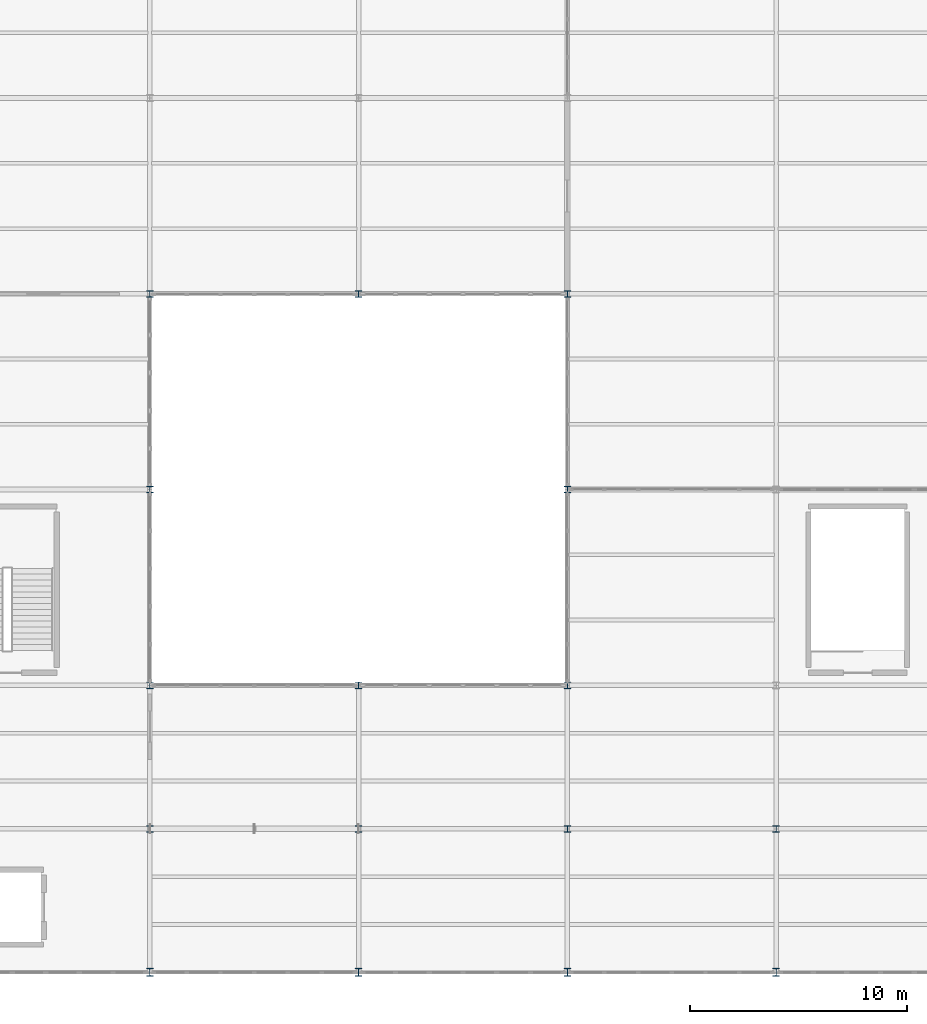
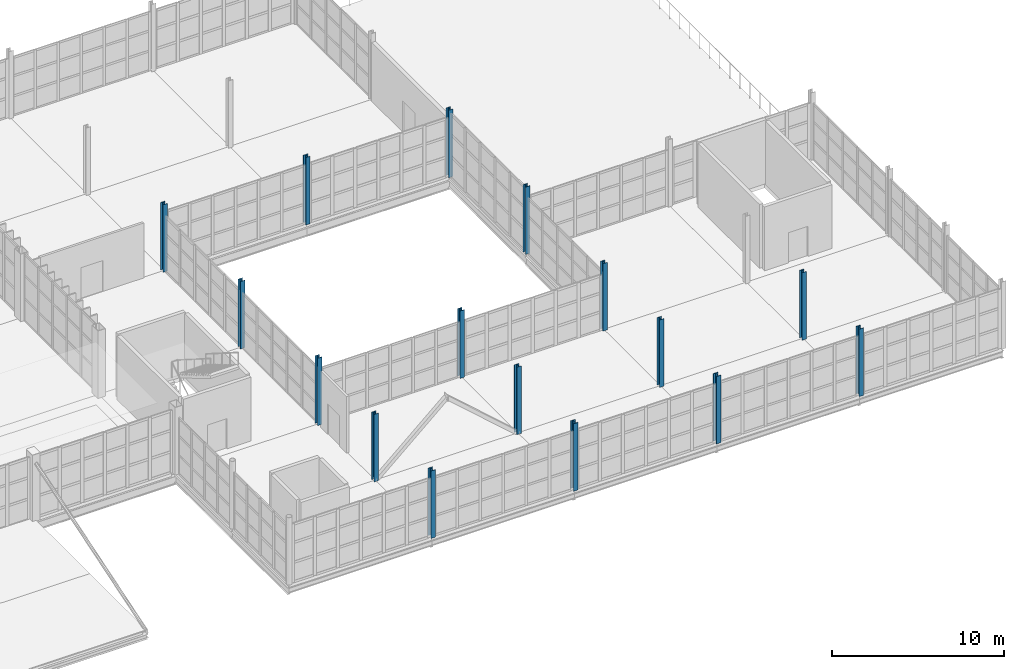
# One storey, part 12 of 120: 16 columns.
"""IFC4 building model written with IfcOpenShell, lengths in metres."""

from ifc_helpers import new_model, si_unit, direction, frame, origin, origin_2d, place, context, subcontext, project, spatial, i_section, extrude, material, material_profile, profile_set, type_object, element, save


model = new_model("IFC4")

# Units and contexts
model_context = context("Model", 3, precision=1e-05, world=origin(), true_north=direction((0.0, 1.0)))
body_context = subcontext(model_context, "Body", "Model", "MODEL_VIEW")
ifc_project = project(units=[si_unit("LENGTHUNIT", "METRE"), si_unit("AREAUNIT", "SQUARE_METRE"), si_unit("VOLUMEUNIT", "CUBIC_METRE"), si_unit("PLANEANGLEUNIT", "RADIAN"), si_unit("MASSUNIT", "GRAM", prefix="KILO")], contexts=[model_context])

# Site, building, storey
site_placement = place(None, origin())
site = spatial("IfcSite", under=ifc_project, at=site_placement, CompositionType="ELEMENT")
building_placement = place(site_placement, origin())
building = spatial("IfcBuilding", under=site, at=building_placement, Name="Zarnetskaya Central Station", CompositionType="ELEMENT")
storey_placement = place(building_placement, frame((0.0, 0.0, 5.39990234375)))
storey = spatial("IfcBuildingStorey", under=building, at=storey_placement, Name="L01", CompositionType="ELEMENT", Elevation=5.39990234375)

# Columns
ifc_material = material(Name="Steel S355", Category="steel")
ifc_material_profile_1 = material_profile(ifc_material, i_section(OverallWidth=0.300048828125, OverallDepth=0.360107421875, WebThickness=0.012451171875, FlangeThickness=0.0224609375, FilletRadius=0.027099609375, at=origin_2d()), Name="HEB 360")
ifc_profile_set_1 = profile_set([ifc_material_profile_1], Name="Steel S355")
column_type_1 = type_object("IfcColumnType", Name="COL-V4-EXT", PredefinedType="COLUMN", material=ifc_profile_set_1)
for number, where, z_axis, x_axis, name in (
    (1, (134.39990234375, 0.0, 0.0), (0.0, 0.0, 1.0), (1.0, 0.0, 0.0), "Column Q1 L01"),
    (2, (144.0, 0.0, 0.0), (0.0, 0.0, 1.0), (1.0, 0.0, 0.0), "Column R1 L01"),
    (3, (153.60009765625, 0.0, 0.0), (0.0, 0.0, 1.0), (1.0, 0.0, 0.0), "Column S1 L01"),
    (4, (163.199951171875, 0.0, 0.0), (0.0, 0.0, 1.0), (1.0, 0.0, 0.0), "Column T1 L01"),
):
    element("IfcColumn", number, at=place(storey_placement, frame(where, z_axis=z_axis, x_axis=x_axis)), inside=storey, type_object=column_type_1, Name=name, PredefinedType="COLUMN", context=body_context, shape_type="SweptSolid", body=[
        extrude(i_section(OverallWidth=0.300048828125, OverallDepth=0.360107421875, WebThickness=0.012451171875, FlangeThickness=0.0224609375, FilletRadius=0.027099609375, at=origin_2d()), origin(), (0.0, 0.0, 1.0), 4.800048828125),
    ])
ifc_material_profile_2 = material_profile(ifc_material, i_section(OverallWidth=0.300048828125, OverallDepth=0.300048828125, WebThickness=0.010986328125, FlangeThickness=0.01904296875, FilletRadius=0.027099609375, at=origin_2d()), Name="HEB 300")
ifc_profile_set_2 = profile_set([ifc_material_profile_2], Name="Steel S355")
column_type_2 = type_object("IfcColumnType", Name="COL-V4-INT", PredefinedType="COLUMN", material=ifc_profile_set_2)
for number, where, z_axis, x_axis, name in (
    (5, (134.39990234375, 6.60009765625, 0.0), (0.0, 0.0, 1.0), (1.0, 0.0, 0.0), "Column Q2 L01"),
    (6, (134.39990234375, 13.199951171875, 0.0), (0.0, 0.0, 1.0), (1.0, 0.0, 0.0), "Column Q3 L01"),
    (7, (134.39990234375, 22.199951171875, 0.0), (0.0, 0.0, 1.0), (1.0, 0.0, 0.0), "Column Q4 L01"),
    (8, (134.39990234375, 31.199951171875, 0.0), (0.0, 0.0, 1.0), (1.0, 0.0, 0.0), "Column Q5 L01"),
    (9, (144.0, 6.60009765625, 0.0), (0.0, 0.0, 1.0), (1.0, 0.0, 0.0), "Column R2 L01"),
    (10, (144.0, 13.199951171875, 0.0), (0.0, 0.0, 1.0), (1.0, 0.0, 0.0), "Column R3 L01"),
    (11, (144.0, 31.199951171875, 0.0), (0.0, 0.0, 1.0), (1.0, 0.0, 0.0), "Column R5 L01"),
    (12, (153.60009765625, 6.60009765625, 0.0), (0.0, 0.0, 1.0), (1.0, 0.0, 0.0), "Column S2 L01"),
    (13, (153.60009765625, 13.199951171875, 0.0), (0.0, 0.0, 1.0), (1.0, 0.0, 0.0), "Column S3 L01"),
    (14, (153.60009765625, 22.199951171875, 0.0), (0.0, 0.0, 1.0), (1.0, 0.0, 0.0), "Column S4 L01"),
    (15, (153.60009765625, 31.199951171875, 0.0), (0.0, 0.0, 1.0), (1.0, 0.0, 0.0), "Column S5 L01"),
    (16, (163.199951171875, 6.60009765625, 0.0), (0.0, 0.0, 1.0), (1.0, 0.0, 0.0), "Column T2 L01"),
):
    element("IfcColumn", number, at=place(storey_placement, frame(where, z_axis=z_axis, x_axis=x_axis)), inside=storey, type_object=column_type_2, Name=name, PredefinedType="COLUMN", context=body_context, shape_type="SweptSolid", body=[
        extrude(i_section(OverallWidth=0.300048828125, OverallDepth=0.300048828125, WebThickness=0.010986328125, FlangeThickness=0.01904296875, FilletRadius=0.027099609375, at=origin_2d()), origin(), (0.0, 0.0, 1.0), 4.800048828125),
    ])

save(model, "model.ifc")
